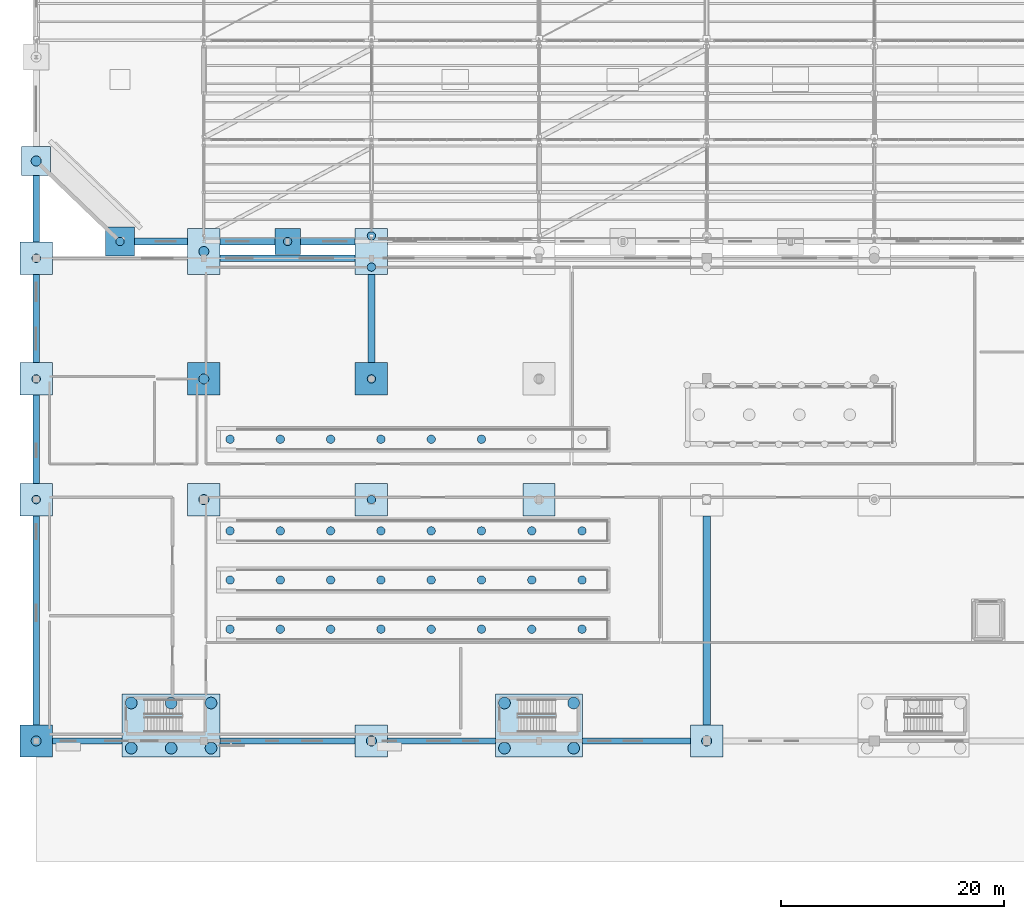
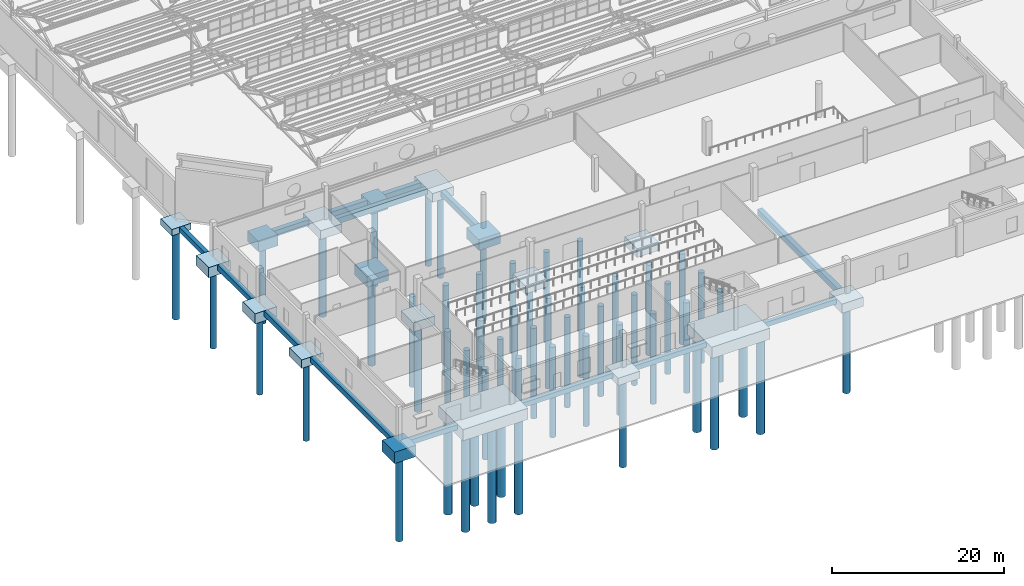
# One storey, part 1 of 285: 56 piles, 32 footings.
"""IFC4 building model written with IfcOpenShell, lengths in metres."""

from ifc_helpers import new_model, si_unit, direction, frame, origin, origin_2d, place, context, subcontext, project, spatial, polyline, circle, outline, extrude, material, material_profile, profile_set, type_object, element, save


model = new_model("IFC4")

# Units and contexts
model_context = context("Model", 3, precision=1e-05, world=origin(), true_north=direction((0.0, 1.0)))
body_context = subcontext(model_context, "Body", "Model", "MODEL_VIEW")
ifc_project = project(units=[si_unit("LENGTHUNIT", "METRE"), si_unit("AREAUNIT", "SQUARE_METRE"), si_unit("VOLUMEUNIT", "CUBIC_METRE"), si_unit("PLANEANGLEUNIT", "RADIAN"), si_unit("MASSUNIT", "GRAM", prefix="KILO")], contexts=[model_context])

# Site, building, storey
site_placement = place(None, origin())
site = spatial("IfcSite", under=ifc_project, at=site_placement, CompositionType="ELEMENT")
building_placement = place(site_placement, origin())
building = spatial("IfcBuilding", under=site, at=building_placement, Name="Solanera Park Tramway Depot", CompositionType="ELEMENT")
storey_placement = place(building_placement, origin())
storey = spatial("IfcBuildingStorey", under=building, at=storey_placement, Name="L00", CompositionType="ELEMENT", Elevation=0.0)

# Footings
ifc_material_1 = material(Name="Concrete N40 (C40/50)", Category="concrete")
footing_type_1 = type_object("IfcFootingType", Name="Bored Pile Cap PC-01 2300x2300x900", PredefinedType="PILE_CAP", material=ifc_material_1)
footing_1_placement = place(storey_placement, frame((0.0, 0.0, -1.35009765625)))
element("IfcFooting", 1, at=footing_1_placement, inside=storey, type_object=footing_type_1, Name="Pile Cap PC-01 #126", PredefinedType="PILE_CAP", context=body_context, shape_type="SweptSolid", body=[
    extrude(outline(polyline([(1.300048828125, 61.39990234375), (1.300048828125, 64.0), (-1.300048828125, 64.0), (-1.300048828125, 61.39990234375), (1.300048828125, 61.39990234375)])), origin(), (0.0, 0.0, 1.0), 0.900146484375),
])
ifc_material_2 = material(Name="Concrete N40 (C40/50)", Category="concrete")
footing_type_2 = type_object("IfcFootingType", Name="Bored Pile Cap PC-04 3200x3200x1200", PredefinedType="PILE_CAP", material=ifc_material_2)
footing_2_placement = place(storey_placement, frame((0.0, 0.0, -1.625)))
element("IfcFooting", 2, at=footing_2_placement, inside=storey, type_object=footing_type_2, Name="Pile Cap PC-04 #057", PredefinedType="PILE_CAP", context=body_context, shape_type="SweptSolid", body=[
    extrude(outline(polyline([(1.449951171875, 30.949951171875), (1.449951171875, 33.85009765625), (-1.449951171875, 33.85009765625), (-1.449951171875, 30.949951171875), (1.449951171875, 30.949951171875)])), origin(), (0.0, 0.0, 1.0), 1.199951171875),
])
ifc_material_3 = material(Name="Concrete N40 (C40/50)", Category="concrete")
footing_type_3 = type_object("IfcFootingType", Name="Bored Pile Cap PC-05 3500x3500x1300", PredefinedType="PILE_CAP", material=ifc_material_3)
footing_3_placement = place(storey_placement, frame((0.0, 0.0, -1.72509765625)))
element("IfcFooting", 3, at=footing_3_placement, inside=storey, type_object=footing_type_3, Name="Pile Cap PC-05 #058", PredefinedType="PILE_CAP", context=body_context, shape_type="SweptSolid", body=[
    extrude(outline(polyline([(16.449951171875, 30.949951171875), (16.449951171875, 33.85009765625), (13.550048828125, 33.85009765625), (13.550048828125, 30.949951171875), (16.449951171875, 30.949951171875)])), origin(), (0.0, 0.0, 1.0), 1.300048828125),
])
ifc_material_4 = material(Name="Concrete N40 (C40/50)", Category="concrete")
footing_type_4 = type_object("IfcFootingType", Name="Bored Pile Cap PC-06 3800x2600x1150", PredefinedType="PILE_CAP", material=ifc_material_4)
footing_4_placement = place(storey_placement, frame((0.0, 0.0, -1.574951171875)))
element("IfcFooting", 4, at=footing_4_placement, inside=storey, type_object=footing_type_4, Name="Pile Cap PC-06 #059", PredefinedType="PILE_CAP", context=body_context, shape_type="SweptSolid", body=[
    extrude(outline(polyline([(31.449951171875, 30.949951171875), (31.449951171875, 33.85009765625), (28.550048828125, 33.85009765625), (28.550048828125, 30.949951171875), (31.449951171875, 30.949951171875)])), origin(), (0.0, 0.0, 1.0), 1.14990234375),
])
ifc_material_5 = material(Name="Concrete N40 (C40/50)", Category="concrete")
footing_type_5 = type_object("IfcFootingType", Name="Bored Pile Cap PC-07 4200x2900x1250", PredefinedType="PILE_CAP", material=ifc_material_5)
footing_5_placement = place(storey_placement, frame((0.0, 0.0, -1.675048828125)))
element("IfcFooting", 5, at=footing_5_placement, inside=storey, type_object=footing_type_5, Name="Pile Cap PC-07 #060", PredefinedType="PILE_CAP", context=body_context, shape_type="SweptSolid", body=[
    extrude(outline(polyline([(46.449951171875, 30.949951171875), (46.449951171875, 33.85009765625), (43.550048828125, 33.85009765625), (43.550048828125, 30.949951171875), (46.449951171875, 30.949951171875)])), origin(), (0.0, 0.0, 1.0), 1.25),
])
footing_6_placement = place(storey_placement, frame((0.0, 0.0, -1.699951171875)))
element("IfcFooting", 6, at=footing_6_placement, inside=storey, type_object=footing_type_5, Name="Pile Cap PC-07 #100", PredefinedType="PILE_CAP", context=body_context, shape_type="SweptSolid", body=[
    extrude(outline(polyline([(16.449951171875, 52.550048828125), (16.449951171875, 56.64990234375), (13.550048828125, 56.64990234375), (13.550048828125, 52.550048828125), (16.449951171875, 52.550048828125)])), origin(), (0.0, 0.0, 1.0), 1.25),
])
footing_7_placement = place(storey_placement, frame((0.0, 0.0, -1.699951171875)))
element("IfcFooting", 7, at=footing_7_placement, inside=storey, type_object=footing_type_5, Name="Pile Cap PC-07 #101", PredefinedType="PILE_CAP", context=body_context, shape_type="SweptSolid", body=[
    extrude(outline(polyline([(31.449951171875, 52.550048828125), (31.449951171875, 56.64990234375), (28.550048828125, 56.64990234375), (28.550048828125, 52.550048828125), (31.449951171875, 52.550048828125)])), origin(), (0.0, 0.0, 1.0), 1.25),
])
ifc_material_6 = material(Name="Concrete N40 (C40/50)", Category="concrete")
footing_type_6 = type_object("IfcFootingType", Name="Bored Pile Cap PC-10 5800x3800x1450", PredefinedType="PILE_CAP", material=ifc_material_6)
footing_8_placement = place(storey_placement, frame((0.0, 0.0, -1.875)))
element("IfcFooting", 8, at=footing_8_placement, inside=storey, type_object=footing_type_6, Name="Pile Cap PC-10 #081", PredefinedType="PILE_CAP", context=body_context, shape_type="SweptSolid", body=[
    extrude(outline(polyline([(1.449951171875, 41.75), (1.449951171875, 44.64990234375), (-1.449951171875, 44.64990234375), (-1.449951171875, 41.75), (1.449951171875, 41.75)])), origin(), (0.0, 0.0, 1.0), 1.449951171875),
])
footing_9_placement = place(storey_placement, frame((0.0, 0.0, -1.875)))
element("IfcFooting", 9, at=footing_9_placement, inside=storey, type_object=footing_type_6, Name="Pile Cap PC-10 #099", PredefinedType="PILE_CAP", context=body_context, shape_type="SweptSolid", body=[
    extrude(outline(polyline([(1.449951171875, 52.550048828125), (1.449951171875, 55.449951171875), (-1.449951171875, 55.449951171875), (-1.449951171875, 52.550048828125), (1.449951171875, 52.550048828125)])), origin(), (0.0, 0.0, 1.0), 1.449951171875),
])
footing_10_placement = place(storey_placement, frame((0.0, 0.0, -1.89990234375)))
element("IfcFooting", 10, at=footing_10_placement, inside=storey, type_object=footing_type_6, Name="Pile Cap PC-10 #117", PredefinedType="PILE_CAP", context=body_context, shape_type="SweptSolid", body=[
    extrude(outline(polyline([(8.800048828125, 54.199951171875), (8.800048828125, 56.800048828125), (6.199951171875, 56.800048828125), (6.199951171875, 54.199951171875), (8.800048828125, 54.199951171875)])), origin(), (0.0, 0.0, 1.0), 1.449951171875),
])
ifc_material_7 = material(Name="Concrete N40 (C40/50)", Category="concrete")
footing_type_7 = type_object("IfcFootingType", Name="Bored Pile Cap PC-11 6500x4200x1500", PredefinedType="PILE_CAP", material=ifc_material_7)
footing_11_placement = place(storey_placement, frame((0.0, 0.0, -1.925048828125)))
element("IfcFooting", 11, at=footing_11_placement, inside=storey, type_object=footing_type_7, Name="Pile Cap PC-11 #082", PredefinedType="PILE_CAP", context=body_context, shape_type="SweptSolid", body=[
    extrude(outline(polyline([(16.449951171875, 41.75), (16.449951171875, 44.64990234375), (13.550048828125, 44.64990234375), (13.550048828125, 41.75), (16.449951171875, 41.75)])), origin(), (0.0, 0.0, 1.0), 1.5),
])
ifc_material_8 = material(Name="Concrete N40 (C40/50)", Category="concrete")
footing_type_8 = type_object("IfcFootingType", Name="Bored Pile Cap PC-12 7400x4500x1550", PredefinedType="PILE_CAP", material=ifc_material_8)
footing_12_placement = place(storey_placement, frame((0.0, 0.0, -1.97509765625)))
element("IfcFooting", 12, at=footing_12_placement, inside=storey, type_object=footing_type_8, Name="Pile Cap PC-12 #083", PredefinedType="PILE_CAP", context=body_context, shape_type="SweptSolid", body=[
    extrude(outline(polyline([(31.449951171875, 41.75), (31.449951171875, 44.64990234375), (28.550048828125, 44.64990234375), (28.550048828125, 41.75), (31.449951171875, 41.75)])), origin(), (0.0, 0.0, 1.0), 1.550048828125),
])
footing_13_placement = place(storey_placement, frame((0.0, 0.0, -2.0)))
element("IfcFooting", 13, at=footing_13_placement, inside=storey, type_object=footing_type_8, Name="Pile Cap PC-12 #119", PredefinedType="PILE_CAP", context=body_context, shape_type="SweptSolid", body=[
    extrude(outline(polyline([(23.64990234375, 54.35009765625), (23.64990234375, 56.64990234375), (21.35009765625, 56.64990234375), (21.35009765625, 54.35009765625), (23.64990234375, 54.35009765625)])), origin(), (0.0, 0.0, 1.0), 1.550048828125),
])
ifc_material_9 = material(Name="Concrete N40 (C40/50)", Category="concrete")
footing_type_9 = type_object("IfcFootingType", Name="Bored Pile Cap PC-13 8400x4800x1600", PredefinedType="PILE_CAP", material=ifc_material_9)
footing_14_placement = place(storey_placement, frame((0.0, 0.0, -2.02490234375)))
element("IfcFooting", 14, at=footing_14_placement, inside=storey, type_object=footing_type_9, Name="Pile Cap PC-13 #012", PredefinedType="PILE_CAP", context=body_context, shape_type="SweptSolid", body=[
    extrude(outline(polyline([(1.449951171875, 9.35009765625), (1.449951171875, 12.25), (-1.449951171875, 12.25), (-1.449951171875, 9.35009765625), (1.449951171875, 9.35009765625)])), origin(), (0.0, 0.0, 1.0), 1.599853515625),
])
footing_15_placement = place(storey_placement, frame((0.0, 0.0, -2.02490234375)))
element("IfcFooting", 15, at=footing_15_placement, inside=storey, type_object=footing_type_9, Name="Pile Cap PC-13 #013", PredefinedType="PILE_CAP", context=body_context, shape_type="SweptSolid", body=[
    extrude(outline(polyline([(16.449951171875, 9.35009765625), (16.449951171875, 15.0), (7.699951171875, 15.0), (7.699951171875, 9.35009765625), (16.449951171875, 9.35009765625)])), origin(), (0.0, 0.0, 1.0), 1.599853515625),
])
footing_16_placement = place(storey_placement, frame((0.0, 0.0, -2.02490234375)))
element("IfcFooting", 16, at=footing_16_placement, inside=storey, type_object=footing_type_9, Name="Pile Cap PC-13 #015", PredefinedType="PILE_CAP", context=body_context, shape_type="SweptSolid", body=[
    extrude(outline(polyline([(48.89990234375, 9.35009765625), (48.89990234375, 15.0), (41.10009765625, 15.0), (41.10009765625, 9.35009765625), (48.89990234375, 9.35009765625)])), origin(), (0.0, 0.0, 1.0), 1.599853515625),
])
ifc_material_10 = material(Name="Concrete N40 (C40/50)", Category="concrete")
footing_type_10 = type_object("IfcFootingType", Name="Bored Pile Cap PC-15 2750x2750x1050", PredefinedType="PILE_CAP", material=ifc_material_10)
footing_17_placement = place(storey_placement, frame((0.0, 0.0, -1.47509765625)))
element("IfcFooting", 17, at=footing_17_placement, inside=storey, type_object=footing_type_10, Name="Pile Cap PC-15 #014", PredefinedType="PILE_CAP", context=body_context, shape_type="SweptSolid", body=[
    extrude(outline(polyline([(31.449951171875, 9.35009765625), (31.449951171875, 12.25), (28.550048828125, 12.25), (28.550048828125, 9.35009765625), (31.449951171875, 9.35009765625)])), origin(), (0.0, 0.0, 1.0), 1.050048828125),
])
ifc_material_11 = material(Name="Concrete N40 (C40/50)", Category="concrete")
footing_type_11 = type_object("IfcFootingType", Name="Bored Pile Cap PC-17 4900x3100x1300", PredefinedType="PILE_CAP", material=ifc_material_11)
footing_18_placement = place(storey_placement, frame((0.0, 0.0, -1.72509765625)))
element("IfcFooting", 18, at=footing_18_placement, inside=storey, type_object=footing_type_11, Name="Pile Cap PC-17 #016", PredefinedType="PILE_CAP", context=body_context, shape_type="SweptSolid", body=[
    extrude(outline(polyline([(61.449951171875, 9.35009765625), (61.449951171875, 12.25), (58.550048828125, 12.25), (58.550048828125, 9.35009765625), (61.449951171875, 9.35009765625)])), origin(), (0.0, 0.0, 1.0), 1.300048828125),
])
ifc_material_12 = material(Name="Concrete N40 (C40/50)", Category="concrete")
footing_type_12 = type_object("IfcFootingType", Name="Ground Tie Beam GB-01 500x700", PredefinedType="FOOTING_BEAM", material=ifc_material_12)
footing_19_placement = place(storey_placement, frame((0.0, 0.0, -1.125)))
element("IfcFooting", 19, at=footing_19_placement, inside=storey, type_object=footing_type_12, Name="Ground Tie Beam GB-01 #001", PredefinedType="FOOTING_BEAM", context=body_context, shape_type="SweptSolid", body=[
    extrude(outline(polyline([(7.699951171875, 10.550048828125), (7.699951171875, 11.050048828125), (1.449951171875, 11.050048828125), (1.449951171875, 10.550048828125), (7.699951171875, 10.550048828125)])), origin(), (0.0, 0.0, 1.0), 0.699951171875),
])
footing_20_placement = place(storey_placement, frame((0.0, 0.0, -1.125)))
element("IfcFooting", 20, at=footing_20_placement, inside=storey, type_object=footing_type_12, Name="Ground Tie Beam GB-01 #002", PredefinedType="FOOTING_BEAM", context=body_context, shape_type="SweptSolid", body=[
    extrude(outline(polyline([(28.550048828125, 10.550048828125), (28.550048828125, 11.050048828125), (16.449951171875, 11.050048828125), (16.449951171875, 10.550048828125), (28.550048828125, 10.550048828125)])), origin(), (0.0, 0.0, 1.0), 0.699951171875),
])
footing_21_placement = place(storey_placement, frame((0.0, 0.0, -1.125)))
element("IfcFooting", 21, at=footing_21_placement, inside=storey, type_object=footing_type_12, Name="Ground Tie Beam GB-01 #003", PredefinedType="FOOTING_BEAM", context=body_context, shape_type="SweptSolid", body=[
    extrude(outline(polyline([(41.10009765625, 10.550048828125), (41.10009765625, 11.050048828125), (31.449951171875, 11.050048828125), (31.449951171875, 10.550048828125), (41.10009765625, 10.550048828125)])), origin(), (0.0, 0.0, 1.0), 0.699951171875),
])
footing_22_placement = place(storey_placement, frame((0.0, 0.0, -1.125)))
element("IfcFooting", 22, at=footing_22_placement, inside=storey, type_object=footing_type_12, Name="Ground Tie Beam GB-01 #004", PredefinedType="FOOTING_BEAM", context=body_context, shape_type="SweptSolid", body=[
    extrude(outline(polyline([(58.550048828125, 10.550048828125), (58.550048828125, 11.050048828125), (48.89990234375, 11.050048828125), (48.89990234375, 10.550048828125), (58.550048828125, 10.550048828125)])), origin(), (0.0, 0.0, 1.0), 0.699951171875),
])
ifc_material_13 = material(Name="Concrete N40 (C40/50)", Category="concrete")
footing_type_13 = type_object("IfcFootingType", Name="Ground Tie Beam GB-02 550x750", PredefinedType="FOOTING_BEAM", material=ifc_material_13)
footing_23_placement = place(storey_placement, frame((0.0, 0.0, -1.175048828125)))
element("IfcFooting", 23, at=footing_23_placement, inside=storey, type_object=footing_type_13, Name="Ground Tie Beam GB-02 #106", PredefinedType="FOOTING_BEAM", context=body_context, shape_type="SweptSolid", body=[
    extrude(outline(polyline([(0.27490234375, 12.25), (0.27490234375, 30.949951171875), (-0.27490234375, 30.949951171875), (-0.27490234375, 12.25), (0.27490234375, 12.25)])), origin(), (0.0, 0.0, 1.0), 0.75),
])
footing_24_placement = place(storey_placement, frame((0.0, 0.0, -1.175048828125)))
element("IfcFooting", 24, at=footing_24_placement, inside=storey, type_object=footing_type_13, Name="Ground Tie Beam GB-02 #107", PredefinedType="FOOTING_BEAM", context=body_context, shape_type="SweptSolid", body=[
    extrude(outline(polyline([(0.27490234375, 33.85009765625), (0.27490234375, 41.75), (-0.27490234375, 41.75), (-0.27490234375, 33.85009765625), (0.27490234375, 33.85009765625)])), origin(), (0.0, 0.0, 1.0), 0.75),
])
footing_25_placement = place(storey_placement, frame((0.0, 0.0, -1.175048828125)))
element("IfcFooting", 25, at=footing_25_placement, inside=storey, type_object=footing_type_13, Name="Ground Tie Beam GB-02 #108", PredefinedType="FOOTING_BEAM", context=body_context, shape_type="SweptSolid", body=[
    extrude(outline(polyline([(0.27490234375, 44.64990234375), (0.27490234375, 52.550048828125), (-0.27490234375, 52.550048828125), (-0.27490234375, 44.64990234375), (0.27490234375, 44.64990234375)])), origin(), (0.0, 0.0, 1.0), 0.75),
])
footing_26_placement = place(storey_placement, frame((0.0, 0.0, -1.199951171875)))
element("IfcFooting", 26, at=footing_26_placement, inside=storey, type_object=footing_type_13, Name="Ground Tie Beam GB-02 #109", PredefinedType="FOOTING_BEAM", context=body_context, shape_type="SweptSolid", body=[
    extrude(outline(polyline([(0.27490234375, 55.449951171875), (0.27490234375, 61.39990234375), (-0.27490234375, 61.39990234375), (-0.27490234375, 55.449951171875), (0.27490234375, 55.449951171875)])), origin(), (0.0, 0.0, 1.0), 0.75),
])
ifc_material_14 = material(Name="Concrete N40 (C40/50)", Category="concrete")
footing_type_14 = type_object("IfcFootingType", Name="Ground Tie Beam GB-03 600x800", PredefinedType="FOOTING_BEAM", material=ifc_material_14)
footing_27_placement = place(storey_placement, frame((0.0, 0.0, -1.25)))
element("IfcFooting", 27, at=footing_27_placement, inside=storey, type_object=footing_type_14, Name="Ground Tie Beam GB-03 #028", PredefinedType="FOOTING_BEAM", context=body_context, shape_type="SweptSolid", body=[
    extrude(outline(polyline([(28.550048828125, 53.699951171875), (28.550048828125, 54.300048828125), (16.449951171875, 54.300048828125), (16.449951171875, 53.699951171875), (28.550048828125, 53.699951171875)])), origin(), (0.0, 0.0, 1.0), 0.800048828125),
])
footing_28_placement = place(storey_placement, frame((0.0, 0.0, -1.25)))
element("IfcFooting", 28, at=footing_28_placement, inside=storey, type_object=footing_type_14, Name="Ground Tie Beam GB-03 #116", PredefinedType="FOOTING_BEAM", context=body_context, shape_type="SweptSolid", body=[
    extrude(outline(polyline([(30.300048828125, 44.64990234375), (30.300048828125, 52.550048828125), (29.699951171875, 52.550048828125), (29.699951171875, 44.64990234375), (30.300048828125, 44.64990234375)])), origin(), (0.0, 0.0, 1.0), 0.800048828125),
])
ifc_material_15 = material(Name="Concrete N40 (C40/50)", Category="concrete")
footing_type_15 = type_object("IfcFootingType", Name="Ground Tie Beam GB-04 650x850", PredefinedType="FOOTING_BEAM", material=ifc_material_15)
footing_29_placement = place(storey_placement, frame((0.0, 0.0, -1.300048828125)))
element("IfcFooting", 29, at=footing_29_placement, inside=storey, type_object=footing_type_15, Name="Ground Tie Beam GB-04 #044", PredefinedType="FOOTING_BEAM", context=body_context, shape_type="SweptSolid", body=[
    extrude(outline(polyline([(13.550048828125, 55.175048828125), (13.550048828125, 55.824951171875), (8.800048828125, 55.824951171875), (8.800048828125, 55.175048828125), (13.550048828125, 55.175048828125)])), origin(), (0.0, 0.0, 1.0), 0.85009765625),
])
footing_30_placement = place(storey_placement, frame((0.0, 0.0, -1.300048828125)))
element("IfcFooting", 30, at=footing_30_placement, inside=storey, type_object=footing_type_15, Name="Ground Tie Beam GB-04 #045", PredefinedType="FOOTING_BEAM", context=body_context, shape_type="SweptSolid", body=[
    extrude(outline(polyline([(21.35009765625, 55.175048828125), (21.35009765625, 55.824951171875), (16.449951171875, 55.824951171875), (16.449951171875, 55.175048828125), (21.35009765625, 55.175048828125)])), origin(), (0.0, 0.0, 1.0), 0.85009765625),
])
footing_31_placement = place(storey_placement, frame((0.0, 0.0, -1.300048828125)))
element("IfcFooting", 31, at=footing_31_placement, inside=storey, type_object=footing_type_15, Name="Ground Tie Beam GB-04 #046", PredefinedType="FOOTING_BEAM", context=body_context, shape_type="SweptSolid", body=[
    extrude(outline(polyline([(28.550048828125, 55.175048828125), (28.550048828125, 55.824951171875), (23.64990234375, 55.824951171875), (23.64990234375, 55.175048828125), (28.550048828125, 55.175048828125)])), origin(), (0.0, 0.0, 1.0), 0.85009765625),
])
footing_32_placement = place(storey_placement, frame((0.0, 0.0, -1.27490234375)))
element("IfcFooting", 32, at=footing_32_placement, inside=storey, type_object=footing_type_15, Name="Ground Tie Beam GB-04 #117", PredefinedType="FOOTING_BEAM", context=body_context, shape_type="SweptSolid", body=[
    extrude(outline(polyline([(60.324951171875, 12.25), (60.324951171875, 30.949951171875), (59.675048828125, 30.949951171875), (59.675048828125, 12.25), (60.324951171875, 12.25)])), origin(), (0.0, 0.0, 1.0), 0.849853515625),
])

# Piles
ifc_material_16 = material(Name="Concrete N40 (C40/50)", Category="concrete")
ifc_material_profile_1 = material_profile(ifc_material_16, circle(Radius=0.52490234375, at=origin_2d()), Name="BORED PILE 1050")
ifc_profile_set_1 = profile_set([ifc_material_profile_1], Name="Concrete N40 (C40/50)")
pile_type_1 = type_object("IfcPileType", Name="Rock Socketed BORED PILE 1050", PredefinedType="BORED", material=ifc_profile_set_1)
for number, where, z_axis, x_axis, name in (
    (33, (8.5048828125, 10.155029296875, -1.925048828125), (0.0, 0.0, -1.0), (1.0, 0.0, 0.0), "Bored Pile BORED PILE 1050 #0012"),
    (34, (8.5048828125, 14.195068359375, -1.925048828125), (0.0, 0.0, -1.0), (1.0, 0.0, 0.0), "Bored Pile BORED PILE 1050 #0013"),
    (35, (12.074951171875, 10.155029296875, -1.925048828125), (0.0, 0.0, -1.0), (1.0, 0.0, 0.0), "Bored Pile BORED PILE 1050 #0014"),
    (36, (12.074951171875, 14.195068359375, -1.925048828125), (0.0, 0.0, -1.0), (1.0, 0.0, 0.0), "Bored Pile BORED PILE 1050 #0015"),
    (37, (15.64501953125, 10.155029296875, -1.925048828125), (0.0, 0.0, -1.0), (1.0, 0.0, 0.0), "Bored Pile BORED PILE 1050 #0016"),
    (38, (15.64501953125, 14.195068359375, -1.925048828125), (0.0, 0.0, -1.0), (1.0, 0.0, 0.0), "Bored Pile BORED PILE 1050 #0017"),
    (39, (41.905029296875, 10.155029296875, -1.925048828125), (0.0, 0.0, -1.0), (1.0, 0.0, 0.0), "Bored Pile BORED PILE 1050 #0019"),
    (40, (41.905029296875, 14.195068359375, -1.925048828125), (0.0, 0.0, -1.0), (1.0, 0.0, 0.0), "Bored Pile BORED PILE 1050 #0020"),
    (41, (48.094970703125, 10.155029296875, -1.925048828125), (0.0, 0.0, -1.0), (1.0, 0.0, 0.0), "Bored Pile BORED PILE 1050 #0021"),
    (42, (48.094970703125, 14.195068359375, -1.925048828125), (0.0, 0.0, -1.0), (1.0, 0.0, 0.0), "Bored Pile BORED PILE 1050 #0022"),
):
    element("IfcPile", number, at=place(storey_placement, frame(where, z_axis=z_axis, x_axis=x_axis)), inside=storey, type_object=pile_type_1, Name=name, PredefinedType="BORED", context=body_context, shape_type="SweptSolid", body=[
        extrude(circle(Radius=0.52490234375, at=origin_2d()), origin(), (0.0, 0.0, 1.0), 13.47509765625),
    ])
ifc_material_17 = material(Name="Concrete N40 (C40/50)", Category="concrete")
ifc_material_profile_2 = material_profile(ifc_material_17, circle(Radius=0.375, at=origin_2d()), Name="BORED PILE 750")
ifc_profile_set_2 = profile_set([ifc_material_profile_2], Name="Concrete N40 (C40/50)")
pile_type_2 = type_object("IfcPileType", Name="Rock Socketed BORED PILE 750", PredefinedType="BORED", material=ifc_profile_set_2)
pile_1_placement = place(storey_placement, frame((0.0, 32.39990234375, -1.52490234375), z_axis=(0.0, 0.0, -1.0), x_axis=(1.0, 0.0, 0.0)))
element("IfcPile", 43, at=pile_1_placement, inside=storey, type_object=pile_type_2, Name="Bored Pile BORED PILE 750 #0084", PredefinedType="BORED", context=body_context, shape_type="SweptSolid", body=[
    extrude(circle(Radius=0.375, at=origin_2d()), origin(), (0.0, 0.0, 1.0), 11.574951171875),
])
pile_2_placement = place(storey_placement, frame((30.0, 32.39990234375, -1.47509765625), z_axis=(0.0, 0.0, -1.0), x_axis=(1.0, 0.0, 0.0)))
element("IfcPile", 44, at=pile_2_placement, inside=storey, type_object=pile_type_2, Name="Bored Pile BORED PILE 750 #0086", PredefinedType="BORED", context=body_context, shape_type="SweptSolid", body=[
    extrude(circle(Radius=0.375, at=origin_2d()), origin(), (0.0, 0.0, 1.0), 11.625),
])
pile_3_placement = place(storey_placement, frame((0.0, 43.199951171875, -1.77490234375), z_axis=(0.0, 0.0, -1.0), x_axis=(1.0, 0.0, 0.0)))
element("IfcPile", 45, at=pile_3_placement, inside=storey, type_object=pile_type_2, Name="Bored Pile BORED PILE 750 #0108", PredefinedType="BORED", context=body_context, shape_type="SweptSolid", body=[
    extrude(circle(Radius=0.375, at=origin_2d()), origin(), (0.0, 0.0, 1.0), 11.324951171875),
])
pile_4_placement = place(storey_placement, frame((30.0, 43.199951171875, -1.875), z_axis=(0.0, 0.0, -1.0), x_axis=(1.0, 0.0, 0.0)))
element("IfcPile", 46, at=pile_4_placement, inside=storey, type_object=pile_type_2, Name="Bored Pile BORED PILE 750 #0110", PredefinedType="BORED", context=body_context, shape_type="SweptSolid", body=[
    extrude(circle(Radius=0.375, at=origin_2d()), origin(), (0.0, 0.0, 1.0), 11.22509765625),
])
pile_5_placement = place(storey_placement, frame((0.0, 54.0, -1.77490234375), z_axis=(0.0, 0.0, -1.0), x_axis=(1.0, 0.0, 0.0)))
element("IfcPile", 47, at=pile_5_placement, inside=storey, type_object=pile_type_2, Name="Bored Pile BORED PILE 750 #0134", PredefinedType="BORED", context=body_context, shape_type="SweptSolid", body=[
    extrude(circle(Radius=0.375, at=origin_2d()), origin(), (0.0, 0.0, 1.0), 11.324951171875),
])
for number, where, z_axis, x_axis, name in (
    (48, (30.0, 53.205078125, -1.60009765625), (0.0, 0.0, -1.0), (1.0, 0.0, 0.0), "Bored Pile BORED PILE 750 #0136"),
    (49, (30.0, 55.9951171875, -1.60009765625), (0.0, 0.0, -1.0), (1.0, 0.0, 0.0), "Bored Pile BORED PILE 750 #0137"),
):
    element("IfcPile", number, at=place(storey_placement, frame(where, z_axis=z_axis, x_axis=x_axis)), inside=storey, type_object=pile_type_2, Name=name, PredefinedType="BORED", context=body_context, shape_type="SweptSolid", body=[
        extrude(circle(Radius=0.375, at=origin_2d()), origin(), (0.0, 0.0, 1.0), 11.5),
    ])
pile_6_placement = place(storey_placement, frame((7.5, 55.5, -1.800048828125), z_axis=(0.0, 0.0, -1.0), x_axis=(1.0, 0.0, 0.0)))
element("IfcPile", 50, at=pile_6_placement, inside=storey, type_object=pile_type_2, Name="Bored Pile BORED PILE 750 #0161", PredefinedType="BORED", context=body_context, shape_type="SweptSolid", body=[
    extrude(circle(Radius=0.375, at=origin_2d()), origin(), (0.0, 0.0, 1.0), 11.300048828125),
])
pile_7_placement = place(storey_placement, frame((22.5, 55.5, -1.89990234375), z_axis=(0.0, 0.0, -1.0), x_axis=(1.0, 0.0, 0.0)))
element("IfcPile", 51, at=pile_7_placement, inside=storey, type_object=pile_type_2, Name="Bored Pile BORED PILE 750 #0162", PredefinedType="BORED", context=body_context, shape_type="SweptSolid", body=[
    extrude(circle(Radius=0.375, at=origin_2d()), origin(), (0.0, 0.0, 1.0), 11.199951171875),
])
for number, where, z_axis, x_axis, name in (
    (52, (17.35009765625, 20.800048828125, -1.949951171875), (0.0, 0.0, -1.0), (1.0, 0.0, 0.0), "Pit Tension/Compression Bored Pile #0250"),
    (53, (21.85009765625, 20.800048828125, -1.949951171875), (0.0, 0.0, -1.0), (1.0, 0.0, 0.0), "Pit Tension/Compression Bored Pile #0251"),
    (54, (26.35009765625, 20.800048828125, -1.949951171875), (0.0, 0.0, -1.0), (1.0, 0.0, 0.0), "Pit Tension/Compression Bored Pile #0252"),
    (55, (30.85009765625, 20.800048828125, -1.949951171875), (0.0, 0.0, -1.0), (1.0, 0.0, 0.0), "Pit Tension/Compression Bored Pile #0253"),
    (56, (35.35009765625, 20.800048828125, -1.949951171875), (0.0, 0.0, -1.0), (1.0, 0.0, 0.0), "Pit Tension/Compression Bored Pile #0254"),
    (57, (39.85009765625, 20.800048828125, -1.949951171875), (0.0, 0.0, -1.0), (1.0, 0.0, 0.0), "Pit Tension/Compression Bored Pile #0255"),
    (58, (44.35009765625, 20.800048828125, -1.949951171875), (0.0, 0.0, -1.0), (1.0, 0.0, 0.0), "Pit Tension/Compression Bored Pile #0256"),
    (59, (48.85009765625, 20.800048828125, -1.949951171875), (0.0, 0.0, -1.0), (1.0, 0.0, 0.0), "Pit Tension/Compression Bored Pile #0257"),
    (60, (17.35009765625, 25.199951171875, -1.949951171875), (0.0, 0.0, -1.0), (1.0, 0.0, 0.0), "Pit Tension/Compression Bored Pile #0258"),
    (61, (21.85009765625, 25.199951171875, -1.949951171875), (0.0, 0.0, -1.0), (1.0, 0.0, 0.0), "Pit Tension/Compression Bored Pile #0259"),
    (62, (26.35009765625, 25.199951171875, -1.949951171875), (0.0, 0.0, -1.0), (1.0, 0.0, 0.0), "Pit Tension/Compression Bored Pile #0260"),
    (63, (30.85009765625, 25.199951171875, -1.949951171875), (0.0, 0.0, -1.0), (1.0, 0.0, 0.0), "Pit Tension/Compression Bored Pile #0261"),
    (64, (35.35009765625, 25.199951171875, -1.949951171875), (0.0, 0.0, -1.0), (1.0, 0.0, 0.0), "Pit Tension/Compression Bored Pile #0262"),
    (65, (39.85009765625, 25.199951171875, -1.949951171875), (0.0, 0.0, -1.0), (1.0, 0.0, 0.0), "Pit Tension/Compression Bored Pile #0263"),
    (66, (44.35009765625, 25.199951171875, -1.949951171875), (0.0, 0.0, -1.0), (1.0, 0.0, 0.0), "Pit Tension/Compression Bored Pile #0264"),
    (67, (48.85009765625, 25.199951171875, -1.949951171875), (0.0, 0.0, -1.0), (1.0, 0.0, 0.0), "Pit Tension/Compression Bored Pile #0265"),
    (68, (17.35009765625, 29.60009765625, -1.949951171875), (0.0, 0.0, -1.0), (1.0, 0.0, 0.0), "Pit Tension/Compression Bored Pile #0266"),
    (69, (21.85009765625, 29.60009765625, -1.949951171875), (0.0, 0.0, -1.0), (1.0, 0.0, 0.0), "Pit Tension/Compression Bored Pile #0267"),
    (70, (26.35009765625, 29.60009765625, -1.949951171875), (0.0, 0.0, -1.0), (1.0, 0.0, 0.0), "Pit Tension/Compression Bored Pile #0268"),
    (71, (30.85009765625, 29.60009765625, -1.949951171875), (0.0, 0.0, -1.0), (1.0, 0.0, 0.0), "Pit Tension/Compression Bored Pile #0269"),
    (72, (35.35009765625, 29.60009765625, -1.949951171875), (0.0, 0.0, -1.0), (1.0, 0.0, 0.0), "Pit Tension/Compression Bored Pile #0270"),
    (73, (39.85009765625, 29.60009765625, -1.949951171875), (0.0, 0.0, -1.0), (1.0, 0.0, 0.0), "Pit Tension/Compression Bored Pile #0271"),
    (74, (44.35009765625, 29.60009765625, -1.949951171875), (0.0, 0.0, -1.0), (1.0, 0.0, 0.0), "Pit Tension/Compression Bored Pile #0272"),
    (75, (48.85009765625, 29.60009765625, -1.949951171875), (0.0, 0.0, -1.0), (1.0, 0.0, 0.0), "Pit Tension/Compression Bored Pile #0273"),
    (76, (17.35009765625, 37.800048828125, -1.949951171875), (0.0, 0.0, -1.0), (1.0, 0.0, 0.0), "Pit Tension/Compression Bored Pile #0274"),
    (77, (21.85009765625, 37.800048828125, -1.949951171875), (0.0, 0.0, -1.0), (1.0, 0.0, 0.0), "Pit Tension/Compression Bored Pile #0275"),
    (78, (26.35009765625, 37.800048828125, -1.949951171875), (0.0, 0.0, -1.0), (1.0, 0.0, 0.0), "Pit Tension/Compression Bored Pile #0276"),
    (79, (30.85009765625, 37.800048828125, -1.949951171875), (0.0, 0.0, -1.0), (1.0, 0.0, 0.0), "Pit Tension/Compression Bored Pile #0277"),
    (80, (35.35009765625, 37.800048828125, -1.949951171875), (0.0, 0.0, -1.0), (1.0, 0.0, 0.0), "Pit Tension/Compression Bored Pile #0278"),
    (81, (39.85009765625, 37.800048828125, -1.949951171875), (0.0, 0.0, -1.0), (1.0, 0.0, 0.0), "Pit Tension/Compression Bored Pile #0279"),
):
    element("IfcPile", number, at=place(storey_placement, frame(where, z_axis=z_axis, x_axis=x_axis)), inside=storey, type_object=pile_type_2, Name=name, PredefinedType="BORED", context=body_context, shape_type="SweptSolid", body=[
        extrude(circle(Radius=0.375, at=origin_2d()), origin(), (0.0, 0.0, 1.0), 12.85009765625),
    ])
ifc_material_18 = material(Name="Concrete N40 (C40/50)", Category="concrete")
ifc_material_profile_3 = material_profile(ifc_material_18, circle(Radius=0.449951171875, at=origin_2d()), Name="BORED PILE 900")
ifc_profile_set_3 = profile_set([ifc_material_profile_3], Name="Concrete N40 (C40/50)")
pile_type_3 = type_object("IfcPileType", Name="Rock Socketed BORED PILE 900", PredefinedType="BORED", material=ifc_profile_set_3)
pile_8_placement = place(storey_placement, frame((0.0, 10.800048828125, -1.925048828125), z_axis=(0.0, 0.0, -1.0), x_axis=(1.0, 0.0, 0.0)))
element("IfcPile", 82, at=pile_8_placement, inside=storey, type_object=pile_type_3, Name="Bored Pile BORED PILE 900 #0011", PredefinedType="BORED", context=body_context, shape_type="SweptSolid", body=[
    extrude(circle(Radius=0.449951171875, at=origin_2d()), origin(), (0.0, 0.0, 1.0), 12.27490234375),
])
pile_9_placement = place(storey_placement, frame((30.0, 10.800048828125, -1.375), z_axis=(0.0, 0.0, -1.0), x_axis=(1.0, 0.0, 0.0)))
element("IfcPile", 83, at=pile_9_placement, inside=storey, type_object=pile_type_3, Name="Bored Pile BORED PILE 900 #0018", PredefinedType="BORED", context=body_context, shape_type="SweptSolid", body=[
    extrude(circle(Radius=0.449951171875, at=origin_2d()), origin(), (0.0, 0.0, 1.0), 12.824951171875),
])
for number, where, z_axis, x_axis, name in (
    (84, (60.0, 10.800048828125, -1.625), (0.0, 0.0, -1.0), (1.0, 0.0, 0.0), "Bored Pile BORED PILE 900 #0023"),
    (85, (15.0, 32.39990234375, -1.625), (0.0, 0.0, -1.0), (1.0, 0.0, 0.0), "Bored Pile BORED PILE 900 #0085"),
):
    element("IfcPile", number, at=place(storey_placement, frame(where, z_axis=z_axis, x_axis=x_axis)), inside=storey, type_object=pile_type_3, Name=name, PredefinedType="BORED", context=body_context, shape_type="SweptSolid", body=[
        extrude(circle(Radius=0.449951171875, at=origin_2d()), origin(), (0.0, 0.0, 1.0), 12.574951171875),
    ])
pile_10_placement = place(storey_placement, frame((15.0, 43.199951171875, -1.824951171875), z_axis=(0.0, 0.0, -1.0), x_axis=(1.0, 0.0, 0.0)))
element("IfcPile", 86, at=pile_10_placement, inside=storey, type_object=pile_type_3, Name="Bored Pile BORED PILE 900 #0109", PredefinedType="BORED", context=body_context, shape_type="SweptSolid", body=[
    extrude(circle(Radius=0.449951171875, at=origin_2d()), origin(), (0.0, 0.0, 1.0), 12.375),
])
pile_11_placement = place(storey_placement, frame((15.0, 54.60009765625, -1.60009765625), z_axis=(0.0, 0.0, -1.0), x_axis=(1.0, 0.0, 0.0)))
element("IfcPile", 87, at=pile_11_placement, inside=storey, type_object=pile_type_3, Name="Bored Pile BORED PILE 900 #0135", PredefinedType="BORED", context=body_context, shape_type="SweptSolid", body=[
    extrude(circle(Radius=0.449951171875, at=origin_2d()), origin(), (0.0, 0.0, 1.0), 12.60009765625),
])
pile_12_placement = place(storey_placement, frame((0.0, 62.699951171875, -1.25), z_axis=(0.0, 0.0, -1.0), x_axis=(1.0, 0.0, 0.0)))
element("IfcPile", 88, at=pile_12_placement, inside=storey, type_object=pile_type_3, Name="Bored Pile BORED PILE 900 #0169", PredefinedType="BORED", context=body_context, shape_type="SweptSolid", body=[
    extrude(circle(Radius=0.449951171875, at=origin_2d()), origin(), (0.0, 0.0, 1.0), 12.949951171875),
])

save(model, "model.ifc")
